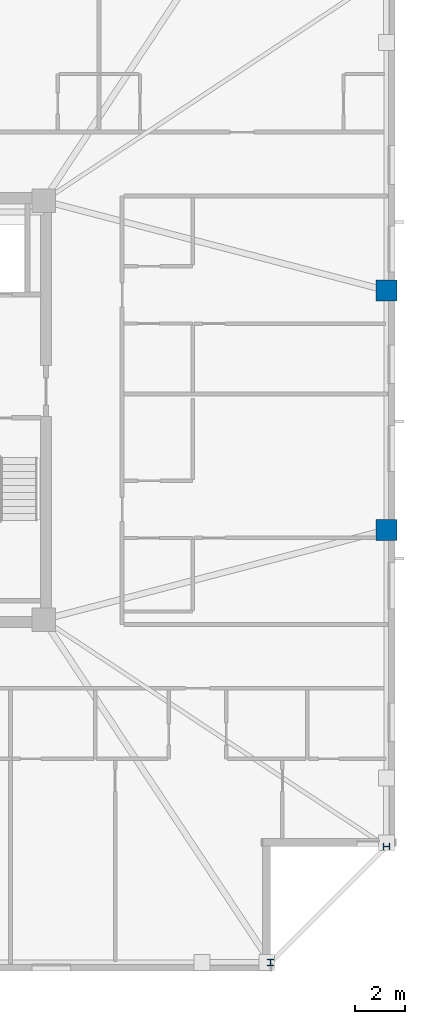
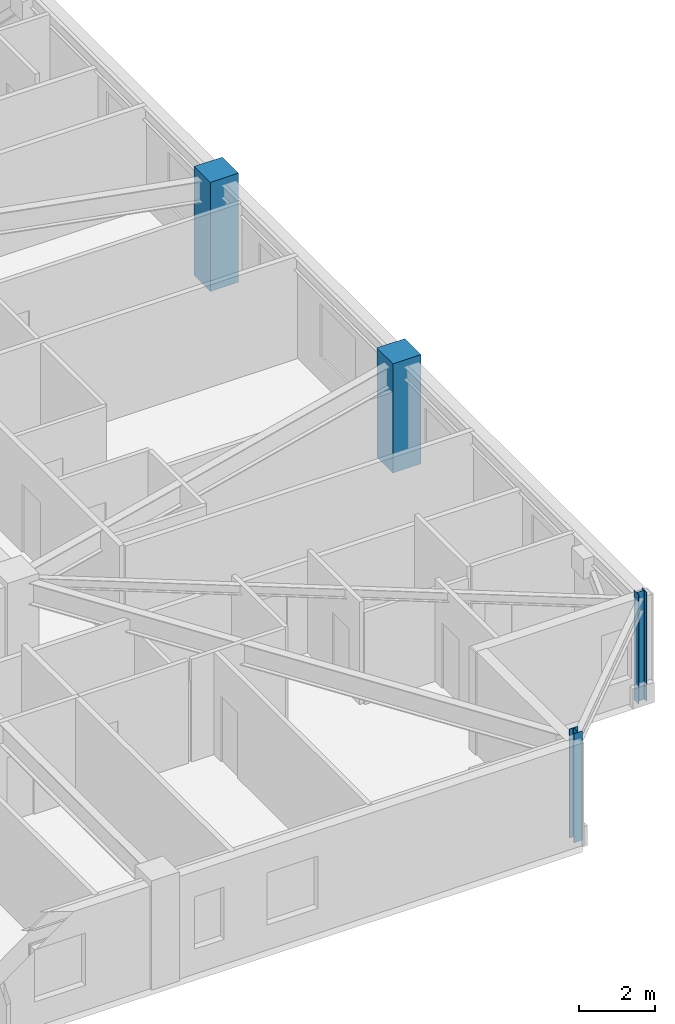
# One storey, part 3 of 17: 4 columns.
"""IFC4 building model written with IfcOpenShell, lengths in metres."""

from ifc_helpers import new_model, si_unit, direction, frame, origin, origin_2d, place, context, subcontext, project, spatial, rectangle, i_section, extrude, material, material_profile, profile_set, type_object, element, save


model = new_model("IFC4")

# Units and contexts
model_context = context("Model", 3, precision=1e-05, world=origin(), true_north=direction((0.0, 1.0)))
body_context = subcontext(model_context, "Body", "Model", "MODEL_VIEW")
ifc_project = project(units=[si_unit("LENGTHUNIT", "METRE"), si_unit("AREAUNIT", "SQUARE_METRE"), si_unit("VOLUMEUNIT", "CUBIC_METRE"), si_unit("PLANEANGLEUNIT", "RADIAN"), si_unit("MASSUNIT", "GRAM", prefix="KILO")], contexts=[model_context])

# Site, building, storey
site_placement = place(None, origin())
site = spatial("IfcSite", under=ifc_project, at=site_placement, CompositionType="ELEMENT")
building_placement = place(site_placement, origin())
building = spatial("IfcBuilding", under=site, at=building_placement, Name="Cairnveth Concourse Tower", CompositionType="ELEMENT")
storey_placement = place(building_placement, frame((0.0, 0.0, 258.5)))
storey = spatial("IfcBuildingStorey", under=building, at=storey_placement, Name="L71", CompositionType="ELEMENT", Elevation=258.5)

# Columns
ifc_material_1 = material(Name="Concrete N65 (65 MPa)", Category="concrete")
ifc_material_profile_1 = material_profile(ifc_material_1, rectangle(XDim=0.85009765625, YDim=0.85009765625, at=origin_2d()), Name="RC-COL-850x850")
ifc_profile_set_1 = profile_set([ifc_material_profile_1], Name="Concrete N65 (65 MPa)")
column_type_1 = type_object("IfcColumnType", Name="PERIMETER PIER COLUMN 850X850", PredefinedType="COLUMN", material=ifc_profile_set_1)
for number, where, z_axis, x_axis, name in (
    (1, (74.14990234375, 34.199951171875, 0.0), (0.0, 0.0, 1.0), (0.0, 1.0, 0.0), "Column P-E2 L71"),
    (2, (74.14990234375, 43.800048828125, 0.0), (0.0, 0.0, 1.0), (0.0, 1.0, 0.0), "Column P-E3 L71"),
):
    element("IfcColumn", number, at=place(storey_placement, frame(where, z_axis=z_axis, x_axis=x_axis)), inside=storey, type_object=column_type_1, Name=name, PredefinedType="COLUMN", context=body_context, shape_type="SweptSolid", body=[
        extrude(rectangle(XDim=0.85009765625, YDim=0.85009765625, at=origin_2d()), origin(), (0.0, 0.0, 1.0), 3.5),
    ])
ifc_material_2 = material(Name="Steel Grade 350", Category="steel")
ifc_material_profile_2 = material_profile(ifc_material_2, i_section(OverallWidth=0.256103515625, OverallDepth=0.260009765625, WebThickness=0.010498046875, FlangeThickness=0.017333984375, FilletRadius=0.012939453125, at=origin_2d()), Name="250UC89.5")
ifc_profile_set_2 = profile_set([ifc_material_profile_2], Name="Steel Grade 350")
column_type_2 = type_object("IfcColumnType", Name="UNIVERSAL STEEL COLUMN 250UC89.5", PredefinedType="COLUMN", material=ifc_profile_set_2)
for number, where, z_axis, x_axis, name in (
    (3, (69.5, 16.85009765625, 0.0), (0.0, 0.0, 1.0), (1.0, 0.0, 0.0), "Column P-S4 L71"),
    (4, (74.14990234375, 21.5, 0.0), (0.0, 0.0, 1.0), (0.0, 1.0, 0.0), "Column P-E1 L71"),
):
    element("IfcColumn", number, at=place(storey_placement, frame(where, z_axis=z_axis, x_axis=x_axis)), inside=storey, type_object=column_type_2, Name=name, PredefinedType="COLUMN", context=body_context, shape_type="SweptSolid", body=[
        extrude(i_section(OverallWidth=0.256103515625, OverallDepth=0.260009765625, WebThickness=0.010498046875, FlangeThickness=0.017333984375, FilletRadius=0.012939453125, at=origin_2d()), origin(), (0.0, 0.0, 1.0), 3.5),
    ])

save(model, "model.ifc")
